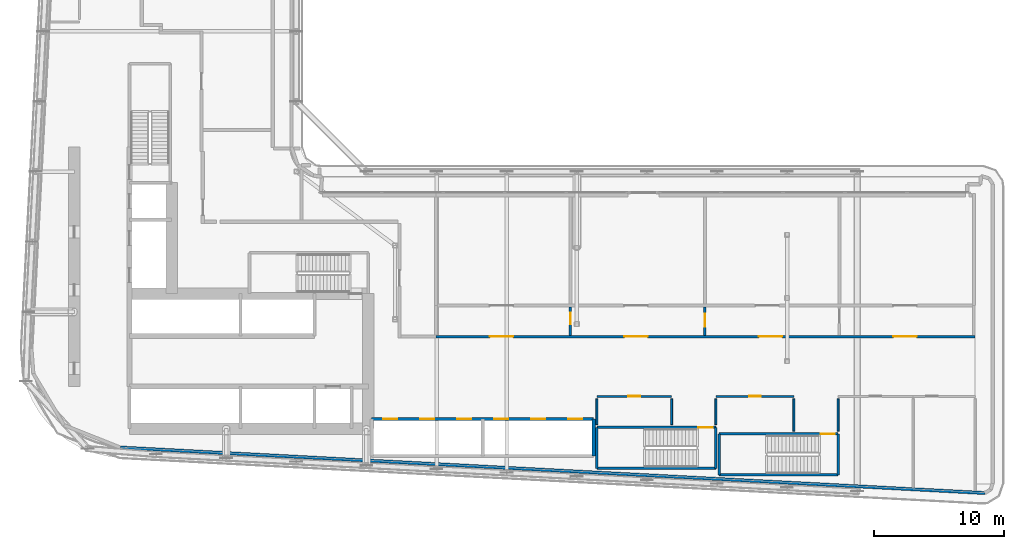
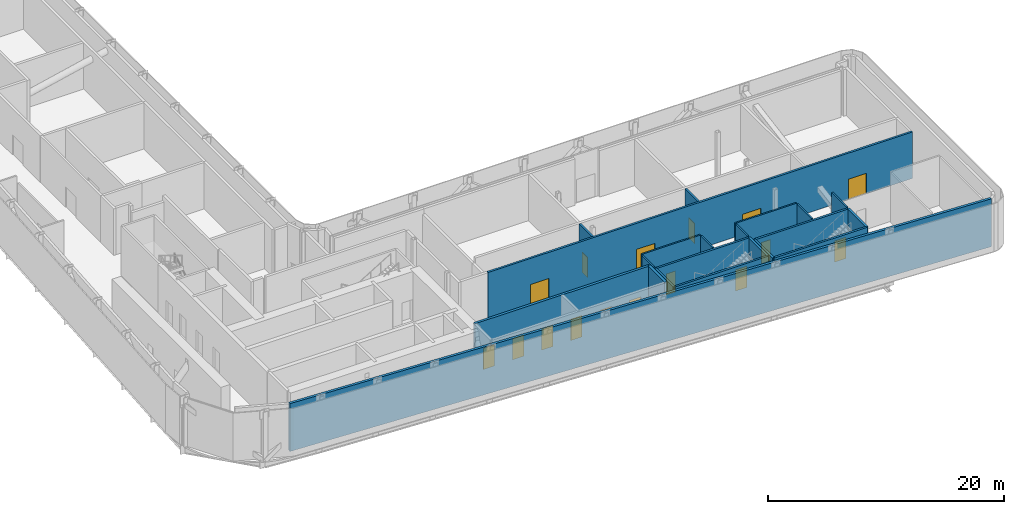
# One storey, part 19 of 30: 21 walls, 16 doors, 16 openings.
"""IFC4 building model written with IfcOpenShell, lengths in metres."""

from ifc_helpers import new_model, si_unit, direction, frame, frame_2d, origin, place, context, subcontext, project, spatial, rectangle, extrude, source, transform, mapped, material, layer, layer_set, type_object, element, fill, save


model = new_model("IFC4")

# Units and contexts
model_context = context("Model", 3, precision=1e-05, world=origin(), true_north=direction((0.0, 1.0)))
body_context = subcontext(model_context, "Body", "Model", "MODEL_VIEW")
ifc_project = project(units=[si_unit("LENGTHUNIT", "METRE"), si_unit("AREAUNIT", "SQUARE_METRE"), si_unit("VOLUMEUNIT", "CUBIC_METRE"), si_unit("PLANEANGLEUNIT", "RADIAN"), si_unit("MASSUNIT", "GRAM", prefix="KILO")], contexts=[model_context])

# Site, building, storey
site_placement = place(None, origin())
site = spatial("IfcSite", under=ifc_project, at=site_placement, CompositionType="ELEMENT")
building_placement = place(site_placement, origin())
building = spatial("IfcBuilding", under=site, at=building_placement, Name="Kheshtan School and Residences Tower", CompositionType="ELEMENT")
storey_placement = place(building_placement, frame((0.0, 0.0, 89.0)))
storey = spatial("IfcBuildingStorey", under=building, at=storey_placement, Name="L20", CompositionType="ELEMENT", Elevation=89.0)

# Wall, openings, doors
ifc_material_1 = material(Name="Gypsum board on steel studs with fire boards", Category="steel")
ifc_layer_1 = layer(ifc_material_1, 0.199951171875)
ifc_layer_set_1 = layer_set([ifc_layer_1], Name="Corridor wall 200")
wall_type_1 = type_object("IfcWallType", Name="Corridor wall 200", PredefinedType="PARTITIONING", material=ifc_layer_set_1)
wall_1_placement = place(storey_placement, frame((58.347900390625, 32.89990234375, 0.0), z_axis=(0.0, 0.0, 1.0), x_axis=(1.0, 0.0, 0.0)))
wall_1 = element("IfcWall", 1, at=wall_1_placement, inside=storey, type_object=wall_type_1, Name="Partition L20-040", PredefinedType="PARTITIONING", context=body_context, shape_type="SweptSolid", body=[
    extrude(rectangle(XDim=41.531982421875, YDim=0.199951171875, at=frame_2d((20.76611328125, 0.0))), origin(), (0.0, 0.0, 1.0), 4.800048828125),
])
opening_1_placement = place(wall_1_placement, frame((4.157958984375, 0.0, 0.0)))
opening_1 = element("IfcOpeningElement", 2, at=opening_1_placement, cuts=wall_1, Name="Opening D20-012", PredefinedType="OPENING", context=body_context, shape_type="SweptSolid", body=[
    extrude(rectangle(XDim=1.800048828125, YDim=2.10009765625, at=frame_2d((0.89990234375, 1.050048828125))), frame((0.0, 0.10986328125, 0.0), z_axis=(0.0, -1.0, 0.0), x_axis=(1.0, 0.0, 0.0)), (0.0, 0.0, 1.0), 0.219970703125),
])
opening_2_placement = place(wall_1_placement, frame((14.51611328125, 0.0, 0.0)))
opening_2 = element("IfcOpeningElement", 3, at=opening_2_placement, cuts=wall_1, Name="Opening D20-014", PredefinedType="OPENING", context=body_context, shape_type="SweptSolid", body=[
    extrude(rectangle(XDim=1.800048828125, YDim=2.10009765625, at=frame_2d((0.89990234375, 1.050048828125))), frame((0.0, 0.10986328125, 0.0), z_axis=(0.0, -1.0, 0.0), x_axis=(1.0, 0.0, 0.0)), (0.0, 0.0, 1.0), 0.219970703125),
])
opening_3_placement = place(wall_1_placement, frame((24.8740234375, 0.0, 0.0)))
opening_3 = element("IfcOpeningElement", 4, at=opening_3_placement, cuts=wall_1, Name="Opening D20-016", PredefinedType="OPENING", context=body_context, shape_type="SweptSolid", body=[
    extrude(rectangle(XDim=1.800048828125, YDim=2.10009765625, at=frame_2d((0.89990234375, 1.050048828125))), frame((0.0, 0.10986328125, 0.0), z_axis=(0.0, -1.0, 0.0), x_axis=(1.0, 0.0, 0.0)), (0.0, 0.0, 1.0), 0.219970703125),
])
opening_4_placement = place(wall_1_placement, frame((35.23193359375, 0.0, 0.0)))
opening_4 = element("IfcOpeningElement", 5, at=opening_4_placement, cuts=wall_1, Name="Opening D20-018", PredefinedType="OPENING", context=body_context, shape_type="SweptSolid", body=[
    extrude(rectangle(XDim=1.800048828125, YDim=2.10009765625, at=frame_2d((0.89990234375, 1.050048828125))), frame((0.0, 0.10986328125, 0.0), z_axis=(0.0, -1.0, 0.0), x_axis=(1.0, 0.0, 0.0)), (0.0, 0.0, 1.0), 0.219970703125),
])
ifc_material_2 = material(Name="Steel-framed fire-resisting door leaf", Category="steel")
door_type_1 = type_object("IfcDoorType", Name="Fire double door FD60 1800 x 2100", OperationType="DOUBLE_DOOR_SINGLE_SWING", PredefinedType="DOOR", material=ifc_material_2)
shared_shape_1 = source(origin(), body_context, "Body", "SweptSolid", [
    extrude(rectangle(XDim=1.800048828125, YDim=2.10009765625, at=frame_2d((0.89990234375, 1.050048828125))), frame((0.0, 0.02490234375, 0.0), z_axis=(0.0, -1.0, 0.0), x_axis=(1.0, 0.0, 0.0)), (0.0, 0.0, 1.0), 0.050048828125),
])
door_1_placement = place(opening_1_placement, origin())
door_1 = element("IfcDoor", 6, at=door_1_placement, inside=storey, type_object=door_type_1, Name="Door D20-012", OperationType="DOUBLE_DOOR_SINGLE_SWING", OverallHeight=2.10009765625, OverallWidth=1.800048828125, PredefinedType="DOOR", context=body_context, shape_type="MappedRepresentation", body=[
    mapped(shared_shape_1, transform((0.0, 0.0, 0.0), x_axis=(1.0, 0.0, 0.0), y_axis=(0.0, 1.0, 0.0), z_axis=(0.0, 0.0, 1.0), scale=1.0)),
])
fill(opening_1, door_1)
door_2_placement = place(opening_2_placement, origin())
door_2 = element("IfcDoor", 7, at=door_2_placement, inside=storey, type_object=door_type_1, Name="Door D20-014", OperationType="DOUBLE_DOOR_SINGLE_SWING", OverallHeight=2.10009765625, OverallWidth=1.800048828125, PredefinedType="DOOR", context=body_context, shape_type="MappedRepresentation", body=[
    mapped(shared_shape_1, transform((0.0, 0.0, 0.0), x_axis=(1.0, 0.0, 0.0), y_axis=(0.0, 1.0, 0.0), z_axis=(0.0, 0.0, 1.0), scale=1.0)),
])
fill(opening_2, door_2)
door_3_placement = place(opening_3_placement, origin())
door_3 = element("IfcDoor", 8, at=door_3_placement, inside=storey, type_object=door_type_1, Name="Door D20-016", OperationType="DOUBLE_DOOR_SINGLE_SWING", OverallHeight=2.10009765625, OverallWidth=1.800048828125, PredefinedType="DOOR", context=body_context, shape_type="MappedRepresentation", body=[
    mapped(shared_shape_1, transform((0.0, 0.0, 0.0), x_axis=(1.0, 0.0, 0.0), y_axis=(0.0, 1.0, 0.0), z_axis=(0.0, 0.0, 1.0), scale=1.0)),
])
fill(opening_3, door_3)
door_4_placement = place(opening_4_placement, origin())
door_4 = element("IfcDoor", 9, at=door_4_placement, inside=storey, type_object=door_type_1, Name="Door D20-018", OperationType="DOUBLE_DOOR_SINGLE_SWING", OverallHeight=2.10009765625, OverallWidth=1.800048828125, PredefinedType="DOOR", context=body_context, shape_type="MappedRepresentation", body=[
    mapped(shared_shape_1, transform((0.0, 0.0, 0.0), x_axis=(1.0, 0.0, 0.0), y_axis=(0.0, 1.0, 0.0), z_axis=(0.0, 0.0, 1.0), scale=1.0)),
])
fill(opening_4, door_4)

# Wall, opening, door
wall_2_placement = place(storey_placement, frame((68.7060546875, 33.0, 0.0), z_axis=(0.0, 0.0, 1.0), x_axis=(0.0, 1.0, 0.0)))
wall_2 = element("IfcWall", 10, at=wall_2_placement, inside=storey, type_object=wall_type_1, Name="Partition L20-045", PredefinedType="PARTITIONING", context=body_context, shape_type="SweptSolid", body=[
    extrude(rectangle(XDim=2.175048828125, YDim=0.199951171875, at=frame_2d((1.08740234375, 0.0))), origin(), (0.0, 0.0, 1.0), 4.800048828125),
])
opening_5_placement = place(wall_2_placement, frame((0.85009765625, 0.0, 0.0)))
opening_5 = element("IfcOpeningElement", 11, at=opening_5_placement, cuts=wall_2, Name="Opening D20-013", PredefinedType="OPENING", context=body_context, shape_type="SweptSolid", body=[
    extrude(rectangle(XDim=0.89990234375, YDim=2.10009765625, at=frame_2d((0.449951171875, 1.050048828125))), frame((0.0, 0.10986328125, 0.0), z_axis=(0.0, -1.0, 0.0), x_axis=(1.0, 0.0, 0.0)), (0.0, 0.0, 1.0), 0.219970703125),
])
door_type_2 = type_object("IfcDoorType", Name="Fire door FD60 900 x 2100", OperationType="SINGLE_SWING_LEFT", PredefinedType="DOOR", material=ifc_material_2)
shared_shape_2 = source(origin(), body_context, "Body", "SweptSolid", [
    extrude(rectangle(XDim=0.89990234375, YDim=2.10009765625, at=frame_2d((0.449951171875, 1.050048828125))), frame((0.0, 0.02490234375, 0.0), z_axis=(0.0, -1.0, 0.0), x_axis=(1.0, 0.0, 0.0)), (0.0, 0.0, 1.0), 0.050048828125),
])
door_5_placement = place(opening_5_placement, origin())
door_5 = element("IfcDoor", 12, at=door_5_placement, inside=storey, type_object=door_type_2, Name="Door D20-013", OperationType="SINGLE_SWING_RIGHT", OverallHeight=2.10009765625, OverallWidth=0.89990234375, PredefinedType="DOOR", context=body_context, shape_type="MappedRepresentation", body=[
    mapped(shared_shape_2, transform((0.0, 0.0, 0.0), x_axis=(1.0, 0.0, 0.0), y_axis=(0.0, 1.0, 0.0), z_axis=(0.0, 0.0, 1.0), scale=1.0)),
])
fill(opening_5, door_5)

wall_3_placement = place(storey_placement, frame((79.06396484375, 33.0, 0.0), z_axis=(0.0, 0.0, 1.0), x_axis=(0.0, 1.0, 0.0)))
wall_3 = element("IfcWall", 13, at=wall_3_placement, inside=storey, type_object=wall_type_1, Name="Partition L20-048", PredefinedType="PARTITIONING", context=body_context, shape_type="SweptSolid", body=[
    extrude(rectangle(XDim=2.175048828125, YDim=0.199951171875, at=frame_2d((1.08740234375, 0.0))), origin(), (0.0, 0.0, 1.0), 4.800048828125),
])
opening_6_placement = place(wall_3_placement, frame((0.64990234375, 0.0, 0.0)))
opening_6 = element("IfcOpeningElement", 14, at=opening_6_placement, cuts=wall_3, Name="Opening D20-015", PredefinedType="OPENING", context=body_context, shape_type="SweptSolid", body=[
    extrude(rectangle(XDim=1.0, YDim=2.10009765625, at=frame_2d((0.5, 1.050048828125))), frame((0.0, 0.10986328125, 0.0), z_axis=(0.0, -1.0, 0.0), x_axis=(1.0, 0.0, 0.0)), (0.0, 0.0, 1.0), 0.219970703125),
])
door_type_3 = type_object("IfcDoorType", Name="Fire door FD60 1000 x 2100", OperationType="SINGLE_SWING_LEFT", PredefinedType="DOOR", material=ifc_material_2)
shared_shape_3 = source(origin(), body_context, "Body", "SweptSolid", [
    extrude(rectangle(XDim=1.0, YDim=2.10009765625, at=frame_2d((0.5, 1.050048828125))), frame((0.0, 0.02490234375, 0.0), z_axis=(0.0, -1.0, 0.0), x_axis=(1.0, 0.0, 0.0)), (0.0, 0.0, 1.0), 0.050048828125),
])
door_6_placement = place(opening_6_placement, origin())
door_6 = element("IfcDoor", 15, at=door_6_placement, inside=storey, type_object=door_type_3, Name="Door D20-015", OperationType="SINGLE_SWING_RIGHT", OverallHeight=2.10009765625, OverallWidth=1.0, PredefinedType="DOOR", context=body_context, shape_type="MappedRepresentation", body=[
    mapped(shared_shape_3, transform((0.0, 0.0, 0.0), x_axis=(1.0, 0.0, 0.0), y_axis=(0.0, 1.0, 0.0), z_axis=(0.0, 0.0, 1.0), scale=1.0)),
])
fill(opening_6, door_6)

# Wall
ifc_material_3 = material(Name="Concrete C40/50 with ceramic cladding and mineral wool insulation", Category="concrete")
ifc_layer_2 = layer(ifc_material_3, 0.25)
ifc_layer_set_2 = layer_set([ifc_layer_2], Name="External wall 250 ceramic clad")
wall_type_2 = type_object("IfcWallType", Name="External wall 250 ceramic clad", PredefinedType="SOLIDWALL", material=ifc_layer_set_2)
wall_4_placement = place(storey_placement, frame((100.625, 20.847900390625, 0.0), z_axis=(0.0, 0.0, 1.0), x_axis=(-0.998617353906, 0.052567865445, 0.0)))
element("IfcWall", 16, at=wall_4_placement, inside=storey, type_object=wall_type_2, Name="External wall L20 14", PredefinedType="SOLIDWALL", context=body_context, shape_type="SweptSolid", body=[
    extrude(rectangle(XDim=66.67822265625, YDim=0.25, at=frame_2d((33.339111328125, 0.0))), origin(), (0.0, 0.0, 1.0), 4.949951171875),
])

# Wall, opening, door
ifc_material_4 = material(Name="Fire-board shaft wall system")
ifc_layer_3 = layer(ifc_material_4, 0.14990234375)
ifc_layer_set_3 = layer_set([ifc_layer_3], Name="Service room wall 150")
wall_type_3 = type_object("IfcWallType", Name="Service room wall 150", PredefinedType="PARTITIONING", material=ifc_layer_set_3)
wall_5_placement = place(storey_placement, frame((70.75, 28.300048828125, 0.0), z_axis=(0.0, 0.0, 1.0), x_axis=(1.0, 0.0, 0.0)))
wall_5 = element("IfcWall", 17, at=wall_5_placement, inside=storey, type_object=wall_type_3, Name="Service room wall", PredefinedType="PARTITIONING", context=body_context, shape_type="SweptSolid", body=[
    extrude(rectangle(XDim=5.760009765625, YDim=0.14990234375, at=frame_2d((2.8798828125, 0.0))), origin(), (0.0, 0.0, 1.0), 5.10009765625),
])
opening_7_placement = place(wall_5_placement, frame((2.429931640625, 0.0, 0.0)))
opening_7 = element("IfcOpeningElement", 18, at=opening_7_placement, cuts=wall_5, Name="Opening SR90", PredefinedType="OPENING", context=body_context, shape_type="SweptSolid", body=[
    extrude(rectangle(XDim=0.89990234375, YDim=2.199951171875, at=frame_2d((0.449951171875, 1.10009765625))), frame((0.0, 0.0849609375, 0.0), z_axis=(0.0, -1.0, 0.0), x_axis=(1.0, 0.0, 0.0)), (0.0, 0.0, 1.0), 0.169921875),
])
ifc_material_5 = material(Name="Steel door leaf, galvanised", Category="steel")
door_type_4 = type_object("IfcDoorType", Name="Service room door 900 steel 90 min", OperationType="SINGLE_SWING_LEFT", PredefinedType="DOOR", material=ifc_material_5)
shared_shape_4 = source(origin(), body_context, "Body", "SweptSolid", [
    extrude(rectangle(XDim=0.89990234375, YDim=2.199951171875, at=frame_2d((0.449951171875, 1.10009765625))), frame((0.0, 0.02490234375, 0.0), z_axis=(0.0, -1.0, 0.0), x_axis=(1.0, 0.0, 0.0)), (0.0, 0.0, 1.0), 0.050048828125),
])
door_7_placement = place(opening_7_placement, origin())
door_7 = element("IfcDoor", 19, at=door_7_placement, inside=storey, type_object=door_type_4, Name="Service room door", OperationType="SINGLE_SWING_LEFT", OverallHeight=2.199951171875, OverallWidth=0.89990234375, PredefinedType="DOOR", context=body_context, shape_type="MappedRepresentation", body=[
    mapped(shared_shape_4, transform((0.0, 0.0, 0.0), x_axis=(1.0, 0.0, 0.0), y_axis=(0.0, 1.0, 0.0), z_axis=(0.0, 0.0, 1.0), scale=1.0)),
])
fill(opening_7, door_7)

# Walls
for number, where, z_axis, x_axis, name in (
    (20, (70.75, 26.1201171875, 0.0), (0.0, 0.0, 1.0), (0.0, 1.0, 0.0), "Service room wall"),
    (21, (76.510009765625, 26.1201171875, 0.0), (0.0, 0.0, 1.0), (0.0, 1.0, 0.0), "Service room wall"),
):
    element("IfcWall", number, at=place(storey_placement, frame(where, z_axis=z_axis, x_axis=x_axis)), inside=storey, type_object=wall_type_3, Name=name, PredefinedType="PARTITIONING", context=body_context, shape_type="SweptSolid", body=[
        extrude(rectangle(XDim=1.98486328125, YDim=0.14990234375, at=frame_2d((0.992431640625, 0.0))), origin(), (0.0, 0.0, 1.0), 5.10009765625),
    ])

# Wall, opening, door
wall_6_placement = place(storey_placement, frame((79.909912109375, 28.300048828125, 0.0), z_axis=(0.0, 0.0, 1.0), x_axis=(1.0, 0.0, 0.0)))
wall_6 = element("IfcWall", 22, at=wall_6_placement, inside=storey, type_object=wall_type_3, Name="Service room wall", PredefinedType="PARTITIONING", context=body_context, shape_type="SweptSolid", body=[
    extrude(rectangle(XDim=6.010009765625, YDim=0.14990234375, at=frame_2d((3.0048828125, 0.0))), origin(), (0.0, 0.0, 1.0), 5.10009765625),
])
opening_8_placement = place(wall_6_placement, frame((2.554931640625, 0.0, 0.0)))
opening_8 = element("IfcOpeningElement", 23, at=opening_8_placement, cuts=wall_6, Name="Opening SR90", PredefinedType="OPENING", context=body_context, shape_type="SweptSolid", body=[
    extrude(rectangle(XDim=0.89990234375, YDim=2.199951171875, at=frame_2d((0.449951171875, 1.10009765625))), frame((0.0, 0.0849609375, 0.0), z_axis=(0.0, -1.0, 0.0), x_axis=(1.0, 0.0, 0.0)), (0.0, 0.0, 1.0), 0.169921875),
])
door_8_placement = place(opening_8_placement, origin())
door_8 = element("IfcDoor", 24, at=door_8_placement, inside=storey, type_object=door_type_4, Name="Service room door", OperationType="SINGLE_SWING_LEFT", OverallHeight=2.199951171875, OverallWidth=0.89990234375, PredefinedType="DOOR", context=body_context, shape_type="MappedRepresentation", body=[
    mapped(shared_shape_4, transform((0.0, 0.0, 0.0), x_axis=(1.0, 0.0, 0.0), y_axis=(0.0, 1.0, 0.0), z_axis=(0.0, 0.0, 1.0), scale=1.0)),
])
fill(opening_8, door_8)

# Walls
wall_7_placement = place(storey_placement, frame((79.909912109375, 26.1201171875, 0.0), z_axis=(0.0, 0.0, 1.0), x_axis=(0.0, 1.0, 0.0)))
element("IfcWall", 25, at=wall_7_placement, inside=storey, type_object=wall_type_3, Name="Service room wall", PredefinedType="PARTITIONING", context=body_context, shape_type="SweptSolid", body=[
    extrude(rectangle(XDim=1.98486328125, YDim=0.14990234375, at=frame_2d((0.992431640625, 0.0))), origin(), (0.0, 0.0, 1.0), 5.10009765625),
])
for number, where, z_axis, x_axis, name in (
    (26, (85.919921875, 25.6201171875, 0.0), (0.0, 0.0, 1.0), (0.0, 1.0, 0.0), "Service room wall"),
    (27, (89.320068359375, 25.6201171875, 0.0), (0.0, 0.0, 1.0), (0.0, 1.0, 0.0), "Service room wall"),
):
    element("IfcWall", number, at=place(storey_placement, frame(where, z_axis=z_axis, x_axis=x_axis)), inside=storey, type_object=wall_type_3, Name=name, PredefinedType="PARTITIONING", context=body_context, shape_type="SweptSolid", body=[
        extrude(rectangle(XDim=2.48486328125, YDim=0.14990234375, at=frame_2d((1.242431640625, 0.0))), origin(), (0.0, 0.0, 1.0), 5.10009765625),
    ])
ifc_layer_4 = layer(ifc_material_4, 0.25)
ifc_layer_set_4 = layer_set([ifc_layer_4], Name="Shaft lining wall 250")
wall_type_4 = type_object("IfcWallType", Name="Shaft lining wall 250", PredefinedType="PARTITIONING", material=ifc_layer_set_4)
wall_8_placement = place(storey_placement, frame((70.5, 23.699951171875, 0.0), z_axis=(0.0, 0.0, 1.0), x_axis=(0.0, 1.0, 0.0)))
element("IfcWall", 28, at=wall_8_placement, inside=storey, type_object=wall_type_4, Name="Shaft lining wall", PredefinedType="PARTITIONING", context=body_context, shape_type="SweptSolid", body=[
    extrude(rectangle(XDim=2.85009765625, YDim=0.25, at=frame_2d((1.425048828125, 0.0))), origin(), (0.0, 0.0, 1.0), 5.10009765625),
])

# Wall, openings, doors
wall_9_placement = place(storey_placement, frame((53.39990234375, 26.550048828125, 0.0), z_axis=(0.0, 0.0, 1.0), x_axis=(1.0, 0.0, 0.0)))
wall_9 = element("IfcWall", 29, at=wall_9_placement, inside=storey, type_object=wall_type_4, Name="Shaft lining wall", PredefinedType="PARTITIONING", context=body_context, shape_type="SweptSolid", body=[
    extrude(rectangle(XDim=17.10009765625, YDim=0.25, at=frame_2d((8.550048828125, 0.0))), origin(), (0.0, 0.0, 1.0), 5.10009765625),
])
opening_9_placement = place(wall_9_placement, frame((0.875, 0.0, 0.0)))
opening_9 = element("IfcOpeningElement", 30, at=opening_9_placement, cuts=wall_9, Name="Opening LD", PredefinedType="OPENING", context=body_context, shape_type="SweptSolid", body=[
    extrude(rectangle(XDim=1.10009765625, YDim=2.199951171875, at=frame_2d((0.550048828125, 1.10009765625))), frame((0.0, 0.135009765625, 0.0), z_axis=(0.0, -1.0, 0.0), x_axis=(1.0, 0.0, 0.0)), (0.0, 0.0, 1.0), 0.27001953125),
])
opening_10_placement = place(wall_9_placement, frame((3.72509765625, 0.0, 0.0)))
opening_10 = element("IfcOpeningElement", 31, at=opening_10_placement, cuts=wall_9, Name="Opening LD", PredefinedType="OPENING", context=body_context, shape_type="SweptSolid", body=[
    extrude(rectangle(XDim=1.10009765625, YDim=2.199951171875, at=frame_2d((0.550048828125, 1.10009765625))), frame((0.0, 0.135009765625, 0.0), z_axis=(0.0, -1.0, 0.0), x_axis=(1.0, 0.0, 0.0)), (0.0, 0.0, 1.0), 0.27001953125),
])
opening_11_placement = place(wall_9_placement, frame((6.574951171875, 0.0, 0.0)))
opening_11 = element("IfcOpeningElement", 32, at=opening_11_placement, cuts=wall_9, Name="Opening LD", PredefinedType="OPENING", context=body_context, shape_type="SweptSolid", body=[
    extrude(rectangle(XDim=1.10009765625, YDim=2.199951171875, at=frame_2d((0.550048828125, 1.10009765625))), frame((0.0, 0.135009765625, 0.0), z_axis=(0.0, -1.0, 0.0), x_axis=(1.0, 0.0, 0.0)), (0.0, 0.0, 1.0), 0.27001953125),
])
opening_12_placement = place(wall_9_placement, frame((9.425048828125, 0.0, 0.0)))
opening_12 = element("IfcOpeningElement", 33, at=opening_12_placement, cuts=wall_9, Name="Opening LD", PredefinedType="OPENING", context=body_context, shape_type="SweptSolid", body=[
    extrude(rectangle(XDim=1.10009765625, YDim=2.199951171875, at=frame_2d((0.550048828125, 1.10009765625))), frame((0.0, 0.135009765625, 0.0), z_axis=(0.0, -1.0, 0.0), x_axis=(1.0, 0.0, 0.0)), (0.0, 0.0, 1.0), 0.27001953125),
])
opening_13_placement = place(wall_9_placement, frame((12.27490234375, 0.0, 0.0)))
opening_13 = element("IfcOpeningElement", 34, at=opening_13_placement, cuts=wall_9, Name="Opening LD", PredefinedType="OPENING", context=body_context, shape_type="SweptSolid", body=[
    extrude(rectangle(XDim=1.10009765625, YDim=2.199951171875, at=frame_2d((0.550048828125, 1.10009765625))), frame((0.0, 0.135009765625, 0.0), z_axis=(0.0, -1.0, 0.0), x_axis=(1.0, 0.0, 0.0)), (0.0, 0.0, 1.0), 0.27001953125),
])
opening_14_placement = place(wall_9_placement, frame((15.125, 0.0, 0.0)))
opening_14 = element("IfcOpeningElement", 35, at=opening_14_placement, cuts=wall_9, Name="Opening LD", PredefinedType="OPENING", context=body_context, shape_type="SweptSolid", body=[
    extrude(rectangle(XDim=1.10009765625, YDim=2.199951171875, at=frame_2d((0.550048828125, 1.10009765625))), frame((0.0, 0.135009765625, 0.0), z_axis=(0.0, -1.0, 0.0), x_axis=(1.0, 0.0, 0.0)), (0.0, 0.0, 1.0), 0.27001953125),
])
ifc_material_6 = material(Name="Stainless steel door leaves", Category="steel")
door_type_5 = type_object("IfcDoorType", Name="Lift landing door 1100", OperationType="SLIDING_TO_LEFT", PredefinedType="DOOR", material=ifc_material_6)
shared_shape_5 = source(origin(), body_context, "Body", "SweptSolid", [
    extrude(rectangle(XDim=1.10009765625, YDim=2.199951171875, at=frame_2d((0.550048828125, 1.10009765625))), frame((0.0, 0.02490234375, 0.0), z_axis=(0.0, -1.0, 0.0), x_axis=(1.0, 0.0, 0.0)), (0.0, 0.0, 1.0), 0.050048828125),
])
door_9_placement = place(opening_9_placement, origin())
door_9 = element("IfcDoor", 36, at=door_9_placement, inside=storey, type_object=door_type_5, Name="Lift P1 landing door", OperationType="SLIDING_TO_LEFT", OverallHeight=2.199951171875, OverallWidth=1.10009765625, PredefinedType="DOOR", context=body_context, shape_type="MappedRepresentation", body=[
    mapped(shared_shape_5, transform((0.0, 0.0, 0.0), x_axis=(1.0, 0.0, 0.0), y_axis=(0.0, 1.0, 0.0), z_axis=(0.0, 0.0, 1.0), scale=1.0)),
])
fill(opening_9, door_9)
door_10_placement = place(opening_10_placement, origin())
door_10 = element("IfcDoor", 37, at=door_10_placement, inside=storey, type_object=door_type_5, Name="Lift P2 landing door", OperationType="SLIDING_TO_LEFT", OverallHeight=2.199951171875, OverallWidth=1.10009765625, PredefinedType="DOOR", context=body_context, shape_type="MappedRepresentation", body=[
    mapped(shared_shape_5, transform((0.0, 0.0, 0.0), x_axis=(1.0, 0.0, 0.0), y_axis=(0.0, 1.0, 0.0), z_axis=(0.0, 0.0, 1.0), scale=1.0)),
])
fill(opening_10, door_10)
door_11_placement = place(opening_11_placement, origin())
door_11 = element("IfcDoor", 38, at=door_11_placement, inside=storey, type_object=door_type_5, Name="Lift P3 landing door", OperationType="SLIDING_TO_LEFT", OverallHeight=2.199951171875, OverallWidth=1.10009765625, PredefinedType="DOOR", context=body_context, shape_type="MappedRepresentation", body=[
    mapped(shared_shape_5, transform((0.0, 0.0, 0.0), x_axis=(1.0, 0.0, 0.0), y_axis=(0.0, 1.0, 0.0), z_axis=(0.0, 0.0, 1.0), scale=1.0)),
])
fill(opening_11, door_11)
door_12_placement = place(opening_12_placement, origin())
door_12 = element("IfcDoor", 39, at=door_12_placement, inside=storey, type_object=door_type_5, Name="Lift P4 landing door", OperationType="SLIDING_TO_LEFT", OverallHeight=2.199951171875, OverallWidth=1.10009765625, PredefinedType="DOOR", context=body_context, shape_type="MappedRepresentation", body=[
    mapped(shared_shape_5, transform((0.0, 0.0, 0.0), x_axis=(1.0, 0.0, 0.0), y_axis=(0.0, 1.0, 0.0), z_axis=(0.0, 0.0, 1.0), scale=1.0)),
])
fill(opening_12, door_12)
door_13_placement = place(opening_13_placement, origin())
door_13 = element("IfcDoor", 40, at=door_13_placement, inside=storey, type_object=door_type_5, Name="Lift P5 landing door", OperationType="SLIDING_TO_LEFT", OverallHeight=2.199951171875, OverallWidth=1.10009765625, PredefinedType="DOOR", context=body_context, shape_type="MappedRepresentation", body=[
    mapped(shared_shape_5, transform((0.0, 0.0, 0.0), x_axis=(1.0, 0.0, 0.0), y_axis=(0.0, 1.0, 0.0), z_axis=(0.0, 0.0, 1.0), scale=1.0)),
])
fill(opening_13, door_13)
door_14_placement = place(opening_14_placement, origin())
door_14 = element("IfcDoor", 41, at=door_14_placement, inside=storey, type_object=door_type_5, Name="Lift P6 landing door", OperationType="SLIDING_TO_LEFT", OverallHeight=2.199951171875, OverallWidth=1.10009765625, PredefinedType="DOOR", context=body_context, shape_type="MappedRepresentation", body=[
    mapped(shared_shape_5, transform((0.0, 0.0, 0.0), x_axis=(1.0, 0.0, 0.0), y_axis=(0.0, 1.0, 0.0), z_axis=(0.0, 0.0, 1.0), scale=1.0)),
])
fill(opening_14, door_14)

# Wall
ifc_material_7 = material(Name="Concrete C40/50", Category="concrete")
ifc_layer_5 = layer(ifc_material_7, 0.199951171875)
ifc_layer_set_5 = layer_set([ifc_layer_5], Name="Stair enclosure wall 200 Concrete C40/50")
wall_type_5 = type_object("IfcWallType", Name="Stair enclosure wall 200 Concrete C40/50", PredefinedType="SHEAR", material=ifc_layer_set_5)
wall_10_placement = place(storey_placement, frame((80.159912109375, 22.25, 0.0), z_axis=(0.0, 0.0, 1.0), x_axis=(1.0, 0.0, 0.0)))
element("IfcWall", 42, at=wall_10_placement, inside=storey, type_object=wall_type_5, Name="Stair enclosure wall ST4", PredefinedType="SHEAR", context=body_context, shape_type="SweptSolid", body=[
    extrude(rectangle(XDim=9.16015625, YDim=0.199951171875, at=frame_2d((4.580078125, 0.0))), origin(), (0.0, 0.0, 1.0), 5.10009765625),
])

# Wall, opening, door
wall_11_placement = place(storey_placement, frame((80.159912109375, 25.39990234375, 0.0), z_axis=(0.0, 0.0, 1.0), x_axis=(1.0, 0.0, 0.0)))
wall_11 = element("IfcWall", 43, at=wall_11_placement, inside=storey, type_object=wall_type_5, Name="Stair enclosure wall ST4", PredefinedType="SHEAR", context=body_context, shape_type="SweptSolid", body=[
    extrude(rectangle(XDim=9.16015625, YDim=0.199951171875, at=frame_2d((4.580078125, 0.0))), origin(), (0.0, 0.0, 1.0), 5.10009765625),
])
opening_15_placement = place(wall_11_placement, frame((7.81005859375, 0.0, 0.0)))
opening_15 = element("IfcOpeningElement", 44, at=opening_15_placement, cuts=wall_11, Name="Opening ST4D", PredefinedType="OPENING", context=body_context, shape_type="SweptSolid", body=[
    extrude(rectangle(XDim=1.10009765625, YDim=2.199951171875, at=frame_2d((0.550048828125, 1.10009765625))), frame((0.0, 0.10986328125, 0.0), z_axis=(0.0, -1.0, 0.0), x_axis=(1.0, 0.0, 0.0)), (0.0, 0.0, 1.0), 0.219970703125),
])
door_type_6 = type_object("IfcDoorType", Name="Stair door 1100 steel 90 min", OperationType="SINGLE_SWING_LEFT", PredefinedType="DOOR", material=ifc_material_5)
shared_shape_6 = source(origin(), body_context, "Body", "SweptSolid", [
    extrude(rectangle(XDim=1.10009765625, YDim=2.199951171875, at=frame_2d((0.550048828125, 1.10009765625))), frame((0.0, 0.02490234375, 0.0), z_axis=(0.0, -1.0, 0.0), x_axis=(1.0, 0.0, 0.0)), (0.0, 0.0, 1.0), 0.050048828125),
])
door_15_placement = place(opening_15_placement, origin())
door_15 = element("IfcDoor", 45, at=door_15_placement, inside=storey, type_object=door_type_6, Name="Stair ST4 door", OperationType="SINGLE_SWING_LEFT", OverallHeight=2.199951171875, OverallWidth=1.10009765625, PredefinedType="DOOR", context=body_context, shape_type="MappedRepresentation", body=[
    mapped(shared_shape_6, transform((0.0, 0.0, 0.0), x_axis=(1.0, 0.0, 0.0), y_axis=(0.0, 1.0, 0.0), z_axis=(0.0, 0.0, 1.0), scale=1.0)),
])
fill(opening_15, door_15)

# Walls
for number, where, z_axis, x_axis, name in (
    (46, (80.159912109375, 22.25, 0.0), (0.0, 0.0, 1.0), (0.0, 1.0, 0.0), "Stair enclosure wall ST4"),
    (47, (89.320068359375, 22.25, 0.0), (0.0, 0.0, 1.0), (0.0, 1.0, 0.0), "Stair enclosure wall ST4"),
):
    element("IfcWall", number, at=place(storey_placement, frame(where, z_axis=z_axis, x_axis=x_axis)), inside=storey, type_object=wall_type_5, Name=name, PredefinedType="SHEAR", context=body_context, shape_type="SweptSolid", body=[
        extrude(rectangle(XDim=3.14990234375, YDim=0.199951171875, at=frame_2d((1.574951171875, 0.0))), origin(), (0.0, 0.0, 1.0), 5.10009765625),
    ])
wall_12_placement = place(storey_placement, frame((70.75, 22.75, 0.0), z_axis=(0.0, 0.0, 1.0), x_axis=(1.0, 0.0, 0.0)))
element("IfcWall", 48, at=wall_12_placement, inside=storey, type_object=wall_type_5, Name="Stair enclosure wall ST5", PredefinedType="SHEAR", context=body_context, shape_type="SweptSolid", body=[
    extrude(rectangle(XDim=9.159912109375, YDim=0.199951171875, at=frame_2d((4.580078125, 0.0))), origin(), (0.0, 0.0, 1.0), 5.10009765625),
])

# Wall, opening, door
wall_13_placement = place(storey_placement, frame((70.75, 25.89990234375, 0.0), z_axis=(0.0, 0.0, 1.0), x_axis=(1.0, 0.0, 0.0)))
wall_13 = element("IfcWall", 49, at=wall_13_placement, inside=storey, type_object=wall_type_5, Name="Stair enclosure wall ST5", PredefinedType="SHEAR", context=body_context, shape_type="SweptSolid", body=[
    extrude(rectangle(XDim=9.159912109375, YDim=0.199951171875, at=frame_2d((4.580078125, 0.0))), origin(), (0.0, 0.0, 1.0), 5.10009765625),
])
opening_16_placement = place(wall_13_placement, frame((7.81005859375, 0.0, 0.0)))
opening_16 = element("IfcOpeningElement", 50, at=opening_16_placement, cuts=wall_13, Name="Opening ST5D", PredefinedType="OPENING", context=body_context, shape_type="SweptSolid", body=[
    extrude(rectangle(XDim=1.10009765625, YDim=2.199951171875, at=frame_2d((0.550048828125, 1.10009765625))), frame((0.0, 0.10986328125, 0.0), z_axis=(0.0, -1.0, 0.0), x_axis=(1.0, 0.0, 0.0)), (0.0, 0.0, 1.0), 0.219970703125),
])
door_16_placement = place(opening_16_placement, origin())
door_16 = element("IfcDoor", 51, at=door_16_placement, inside=storey, type_object=door_type_6, Name="Stair ST5 door", OperationType="SINGLE_SWING_LEFT", OverallHeight=2.199951171875, OverallWidth=1.10009765625, PredefinedType="DOOR", context=body_context, shape_type="MappedRepresentation", body=[
    mapped(shared_shape_6, transform((0.0, 0.0, 0.0), x_axis=(1.0, 0.0, 0.0), y_axis=(0.0, 1.0, 0.0), z_axis=(0.0, 0.0, 1.0), scale=1.0)),
])
fill(opening_16, door_16)

# Walls
for number, where, z_axis, x_axis, name in (
    (52, (70.75, 22.75, 0.0), (0.0, 0.0, 1.0), (0.0, 1.0, 0.0), "Stair enclosure wall ST5"),
    (53, (79.909912109375, 22.75, 0.0), (0.0, 0.0, 1.0), (0.0, 1.0, 0.0), "Stair enclosure wall ST5"),
):
    element("IfcWall", number, at=place(storey_placement, frame(where, z_axis=z_axis, x_axis=x_axis)), inside=storey, type_object=wall_type_5, Name=name, PredefinedType="SHEAR", context=body_context, shape_type="SweptSolid", body=[
        extrude(rectangle(XDim=3.14990234375, YDim=0.199951171875, at=frame_2d((1.574951171875, 0.0))), origin(), (0.0, 0.0, 1.0), 5.10009765625),
    ])

save(model, "model.ifc")
